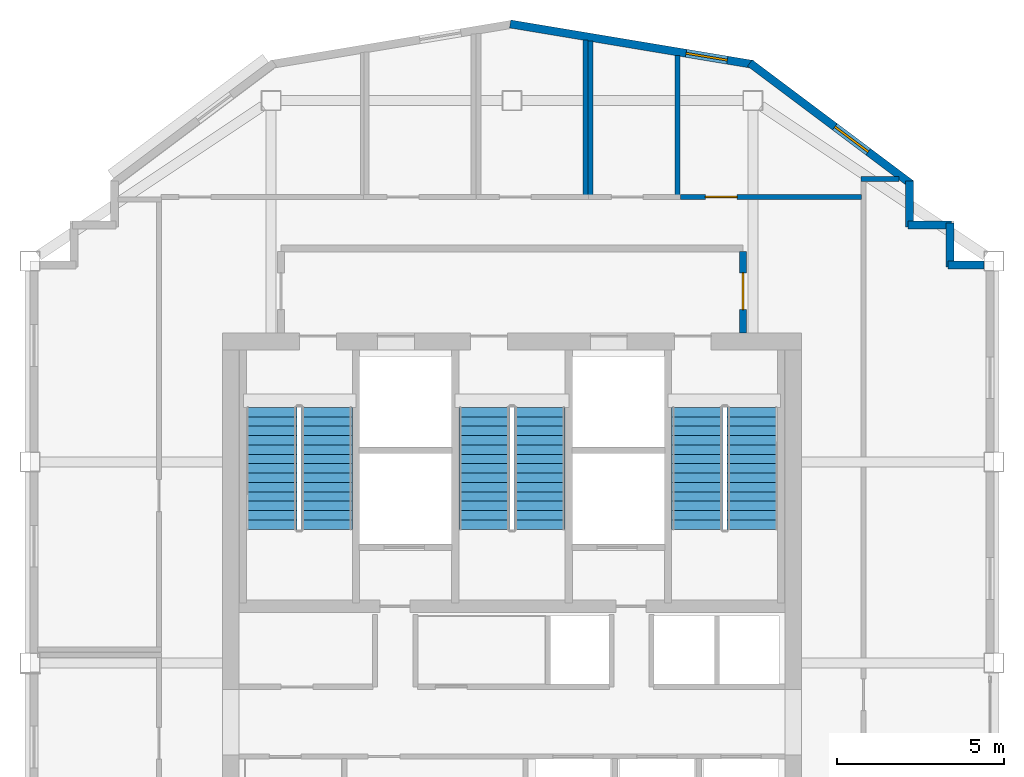
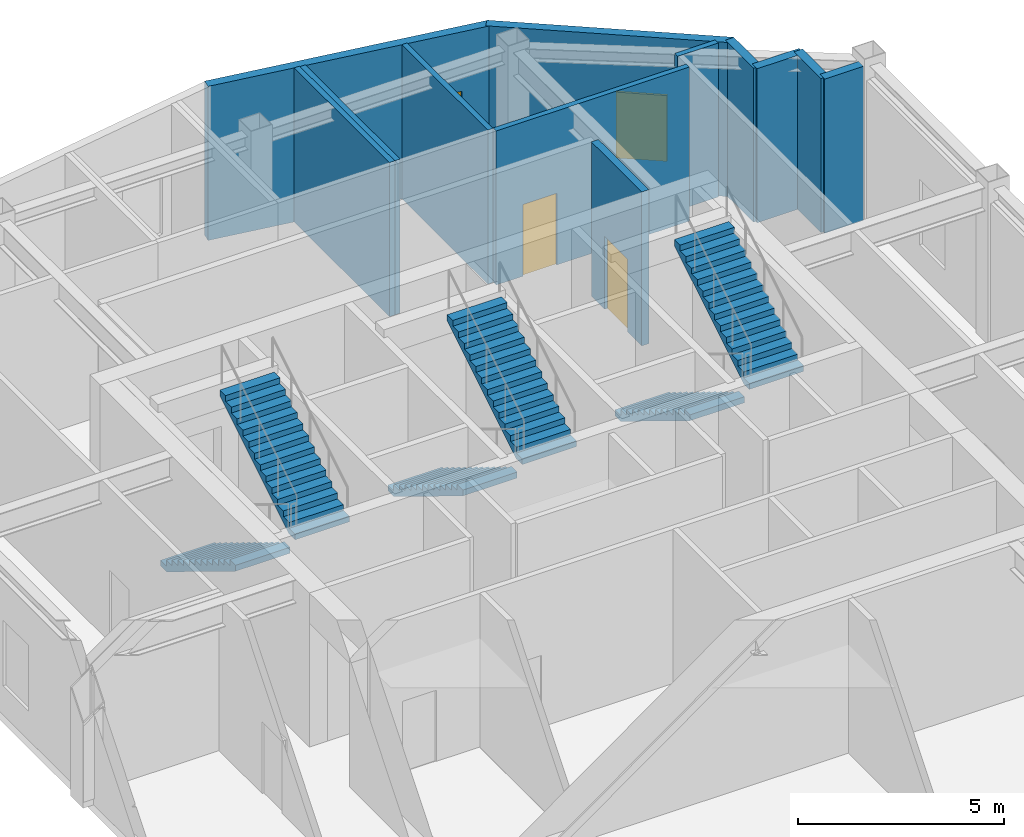
# One storey, part 9 of 11: 12 walls, 6 stair flights, 2 doors, 2 windows, 4 openings, 3 elements without a shape of their own.
"""IFC4 building model written with IfcOpenShell, lengths in metres."""

from ifc_helpers import new_model, si_unit, direction, frame, frame_2d, origin, place, context, subcontext, project, spatial, polyline, rectangle, outline, extrude, material, layer, layer_set, type_object, element, fill, aggregate, save


model = new_model("IFC4")

# Units and contexts
model_context = context("Model", 3, precision=1e-05, world=origin(), true_north=direction((0.0, 1.0)))
body_context = subcontext(model_context, "Body", "Model", "MODEL_VIEW")
ifc_project = project(units=[si_unit("LENGTHUNIT", "METRE"), si_unit("AREAUNIT", "SQUARE_METRE"), si_unit("VOLUMEUNIT", "CUBIC_METRE"), si_unit("PLANEANGLEUNIT", "RADIAN"), si_unit("MASSUNIT", "GRAM", prefix="KILO")], contexts=[model_context])

# Site, building, storey
site_placement = place(None, origin())
site = spatial("IfcSite", under=ifc_project, at=site_placement, CompositionType="ELEMENT")
building_placement = place(site_placement, origin())
building = spatial("IfcBuilding", under=site, at=building_placement, Name="Haolan Belvedere Tower", CompositionType="ELEMENT")
storey_placement = place(building_placement, frame((0.0, 0.0, 313.39990234375)))
storey = spatial("IfcBuildingStorey", under=building, at=storey_placement, Name="L79", CompositionType="ELEMENT", Elevation=313.39990234375)

# Walls
ifc_material_1 = material(Name="Precast concrete C40/50", Category="concrete")
ifc_layer_1 = layer(ifc_material_1, 0.239990234375, Name="Precast concrete C40/50")
ifc_layer_set_1 = layer_set([ifc_layer_1], Name="Precast concrete C40/50")
wall_type_1 = type_object("IfcWallType", Name="WL-EXT-240", PredefinedType="SOLIDWALL", material=ifc_layer_set_1)
wall_1_placement = place(storey_placement, frame((52.508056640625, 45.47998046875, 0.0), z_axis=(0.0, 0.0, 1.0), x_axis=(-1.0, 0.0, 0.0)))
element("IfcWall", 1, at=wall_1_placement, inside=storey, type_object=wall_type_1, Name="L79 pale-metal exterior spandrel wall 4.1", PredefinedType="SOLIDWALL", context=body_context, shape_type="SweptSolid", body=[
    extrude(rectangle(XDim=1.0830078125, YDim=0.239990234375, at=frame_2d((0.54150390625, 0.0))), origin(), (0.0, 0.0, 1.0), 4.56005859375),
])
wall_2_placement = place(storey_placement, frame((51.47998046875, 45.425048828125, 0.0), z_axis=(0.0, 0.0, 1.0), x_axis=(0.0, 1.0, 0.0)))
element("IfcWall", 2, at=wall_2_placement, inside=storey, type_object=wall_type_1, Name="L79 pale-metal exterior spandrel wall 5.1", PredefinedType="SOLIDWALL", context=body_context, shape_type="SweptSolid", body=[
    extrude(rectangle(XDim=1.31005859375, YDim=0.239990234375, at=frame_2d((0.655029296875, 0.0))), origin(), (0.0, 0.0, 1.0), 4.56005859375),
])
wall_3_placement = place(storey_placement, frame((51.534912109375, 46.679931640625, 0.0), z_axis=(0.0, 0.0, 1.0), x_axis=(-1.0, 0.0, 0.0)))
element("IfcWall", 3, at=wall_3_placement, inside=storey, type_object=wall_type_1, Name="L79 pale-metal exterior spandrel wall 6.1", PredefinedType="SOLIDWALL", context=body_context, shape_type="SweptSolid", body=[
    extrude(rectangle(XDim=1.309814453125, YDim=0.239990234375, at=frame_2d((0.65478515625, 0.0))), origin(), (0.0, 0.0, 1.0), 4.56005859375),
])
wall_4_placement = place(storey_placement, frame((50.280029296875, 46.625, 0.0), z_axis=(0.0, 0.0, 1.0), x_axis=(0.0, 1.0, 0.0)))
element("IfcWall", 4, at=wall_4_placement, inside=storey, type_object=wall_type_1, Name="L79 pale-metal exterior spandrel wall 7.1", PredefinedType="SOLIDWALL", context=body_context, shape_type="SweptSolid", body=[
    extrude(rectangle(XDim=1.3701171875, YDim=0.239990234375, at=frame_2d((0.68505859375, 0.0))), origin(), (0.0, 0.0, 1.0), 4.56005859375),
])

# Wall, opening, window
wall_5_placement = place(storey_placement, frame((50.323974609375, 47.906982421875, 0.0), z_axis=(0.0, 0.0, 1.0), x_axis=(-0.80001459783, 0.599980535734, 0.0)))
wall_5 = element("IfcWall", 5, at=wall_5_placement, inside=storey, type_object=wall_type_1, Name="L79 pale-metal exterior spandrel wall 8.1", PredefinedType="SOLIDWALL", context=body_context, shape_type="SweptSolid", body=[
    extrude(rectangle(XDim=6.020751953125, YDim=0.239990234375, at=frame_2d((3.01025390625, 0.0))), origin(), (0.0, 0.0, 1.0), 4.56005859375),
])
opening_1_placement = place(wall_5_placement, frame((1.60009765625, 0.0, 0.85009765625)))
opening_1 = element("IfcOpeningElement", 6, at=opening_1_placement, cuts=wall_5, Name="Opening W-04", PredefinedType="OPENING", context=body_context, shape_type="SweptSolid", body=[
    extrude(rectangle(XDim=1.25, YDim=1.949951171875, at=frame_2d((0.625, 0.97509765625))), frame((0.0, 0.1298828125, 0.0), z_axis=(0.0, -1.0, 0.0), x_axis=(1.0, 0.0, 0.0)), (0.0, 0.0, 1.0), 0.260009765625),
])
ifc_material_2 = material(Name="Anodised aluminium 6063-T6 and Low-E glass", Category="aluminium")
window_type = type_object("IfcWindowType", Name="WN-DECO-Z4", PartitioningType="SINGLE_PANEL", PredefinedType="WINDOW", material=ifc_material_2)
window_1_placement = place(opening_1_placement, origin())
window_1 = element("IfcWindow", 7, at=window_1_placement, inside=storey, type_object=window_type, Name="L79 Art Deco chevron window 1", OverallHeight=1.949951171875, OverallWidth=1.25, PartitioningType="SINGLE_PANEL", PredefinedType="WINDOW", context=body_context, shape_type="SweptSolid", body=[
    extrude(rectangle(XDim=1.25, YDim=1.949951171875, at=frame_2d((0.625, 0.97509765625))), frame((0.0, 0.030029296875, 0.0), z_axis=(0.0, -1.0, 0.0), x_axis=(1.0, 0.0, 0.0)), (0.0, 0.0, 1.0), 0.06005859375),
])
fill(opening_1, window_1)

wall_6_placement = place(storey_placement, frame((45.605712890625, 51.477294921875, 0.0), z_axis=(0.0, 0.0, 1.0), x_axis=(-0.986394820321, 0.164393608283, 0.0)))
wall_6 = element("IfcWall", 8, at=wall_6_placement, inside=storey, type_object=wall_type_1, Name="L79 pale-metal exterior spandrel wall 9.1", PredefinedType="SOLIDWALL", context=body_context, shape_type="SweptSolid", body=[
    extrude(rectangle(XDim=7.360107421875, YDim=0.239990234375, at=frame_2d((3.68017578125, 0.0))), origin(), (0.0, 0.0, 1.0), 4.56005859375),
])
opening_2_placement = place(wall_6_placement, frame((0.7841796875, 0.0, 0.85009765625)))
opening_2 = element("IfcOpeningElement", 9, at=opening_2_placement, cuts=wall_6, Name="Opening W-04", PredefinedType="OPENING", context=body_context, shape_type="SweptSolid", body=[
    extrude(rectangle(XDim=1.25, YDim=1.949951171875, at=frame_2d((0.625, 0.97509765625))), frame((0.0, 0.1298828125, 0.0), z_axis=(0.0, -1.0, 0.0), x_axis=(1.0, 0.0, 0.0)), (0.0, 0.0, 1.0), 0.260009765625),
])
window_2_placement = place(opening_2_placement, origin())
window_2 = element("IfcWindow", 10, at=window_2_placement, inside=storey, type_object=window_type, Name="L79 Art Deco chevron window 1", OverallHeight=1.949951171875, OverallWidth=1.25, PartitioningType="SINGLE_PANEL", PredefinedType="WINDOW", context=body_context, shape_type="SweptSolid", body=[
    extrude(rectangle(XDim=1.25, YDim=1.949951171875, at=frame_2d((0.625, 0.97509765625))), frame((0.0, 0.030029296875, 0.0), z_axis=(0.0, -1.0, 0.0), x_axis=(1.0, 0.0, 0.0)), (0.0, 0.0, 1.0), 0.06005859375),
])
fill(opening_2, window_2)

# Wall, opening, door
ifc_material_3 = material(Name="Concrete C40/50", Category="concrete")
ifc_layer_2 = layer(ifc_material_3, 0.199951171875, Name="Concrete C40/50")
ifc_layer_set_2 = layer_set([ifc_layer_2], Name="Concrete C40/50")
wall_type_2 = type_object("IfcWallType", Name="WL-FIRE-200", PredefinedType="SOLIDWALL", material=ifc_layer_set_2)
wall_7_placement = place(storey_placement, frame((45.300048828125, 43.449951171875, 0.0), z_axis=(0.0, 0.0, 1.0), x_axis=(0.0, 1.0, 0.0)))
wall_7 = element("IfcWall", 11, at=wall_7_placement, inside=storey, type_object=wall_type_2, Name="L79 interior partition IW-L79-FFL-E", PredefinedType="SOLIDWALL", context=body_context, shape_type="SweptSolid", body=[
    extrude(rectangle(XDim=2.445068359375, YDim=0.199951171875, at=frame_2d((1.22265625, 0.0))), origin(), (0.0, 0.0, 1.0), 4.56005859375),
])
opening_3_placement = place(wall_7_placement, frame((0.699951171875, 0.0, 0.0)))
opening_3 = element("IfcOpeningElement", 12, at=opening_3_placement, cuts=wall_7, Name="Opening FD-03", PredefinedType="OPENING", context=body_context, shape_type="SweptSolid", body=[
    extrude(rectangle(XDim=1.10009765625, YDim=2.14990234375, at=frame_2d((0.550048828125, 1.074951171875))), frame((0.0, 0.10986328125, 0.0), z_axis=(0.0, -1.0, 0.0), x_axis=(1.0, 0.0, 0.0)), (0.0, 0.0, 1.0), 0.219970703125),
])
ifc_material_4 = material(Name="Galvanised fire-rated steel", Category="steel")
door_type_1 = type_object("IfcDoorType", Name="DR-FD90-1100", OperationType="NOTDEFINED", PredefinedType="DOOR", material=ifc_material_4)
door_1_placement = place(opening_3_placement, origin())
door_1 = element("IfcDoor", 13, at=door_1_placement, inside=storey, type_object=door_type_1, Name="L79 door ID-L79-FFL-DE", OperationType="SINGLE_SWING_RIGHT", OverallHeight=2.14990234375, OverallWidth=1.10009765625, PredefinedType="DOOR", context=body_context, shape_type="SweptSolid", body=[
    extrude(rectangle(XDim=1.10009765625, YDim=2.14990234375, at=frame_2d((0.550048828125, 1.074951171875))), frame((0.0, 0.02490234375, 0.0), z_axis=(0.0, -1.0, 0.0), x_axis=(1.0, 0.0, 0.0)), (0.0, 0.0, 1.0), 0.050048828125),
])
fill(opening_3, door_1)

# Walls
ifc_material_5 = material(Name="Double gypsum acoustic stud partition", Category="masonry")
ifc_layer_3 = layer(ifc_material_5, 0.14990234375, Name="Double gypsum acoustic stud partition")
ifc_layer_set_3 = layer_set([ifc_layer_3], Name="Double gypsum acoustic stud partition")
wall_type_3 = type_object("IfcWallType", Name="WL-PART-150", PredefinedType="PARTITIONING", material=ifc_layer_set_3)
wall_8_placement = place(storey_placement, frame((40.60009765625, 47.580078125, 0.0), z_axis=(0.0, 0.0, 1.0), x_axis=(0.0, 1.0, 0.0)))
element("IfcWall", 14, at=wall_8_placement, inside=storey, type_object=wall_type_3, Name="L79 interior partition IW-L79-WCF-E", PredefinedType="PARTITIONING", context=body_context, shape_type="SweptSolid", body=[
    extrude(rectangle(XDim=4.625, YDim=0.14990234375, at=frame_2d((2.3125, 0.0))), origin(), (0.0, 0.0, 1.0), 4.56005859375),
])
wall_9_placement = place(storey_placement, frame((40.75, 47.580078125, 0.0), z_axis=(0.0, 0.0, 1.0), x_axis=(0.0, 1.0, 0.0)))
element("IfcWall", 15, at=wall_9_placement, inside=storey, type_object=wall_type_3, Name="L79 interior partition IW-L79-WCA-W", PredefinedType="PARTITIONING", context=body_context, shape_type="SweptSolid", body=[
    extrude(rectangle(XDim=4.60009765625, YDim=0.14990234375, at=frame_2d((2.300048828125, 0.0))), origin(), (0.0, 0.0, 1.0), 4.56005859375),
])
wall_10_placement = place(storey_placement, frame((43.35009765625, 47.580078125, 0.0), z_axis=(0.0, 0.0, 1.0), x_axis=(0.0, 1.0, 0.0)))
element("IfcWall", 16, at=wall_10_placement, inside=storey, type_object=wall_type_3, Name="L79 interior partition IW-L79-WCA-E", PredefinedType="PARTITIONING", context=body_context, shape_type="SweptSolid", body=[
    extrude(rectangle(XDim=4.166748046875, YDim=0.14990234375, at=frame_2d((2.08349609375, 0.0))), origin(), (0.0, 0.0, 1.0), 4.56005859375),
])
wall_11_placement = place(storey_placement, frame((48.820068359375, 48.050048828125, 0.0), z_axis=(0.0, 0.0, 1.0), x_axis=(1.0, 0.0, 0.0)))
element("IfcWall", 17, at=wall_11_placement, inside=storey, type_object=wall_type_3, Name="L79 interior partition IW-L79-SOMM-N", PredefinedType="PARTITIONING", context=body_context, shape_type="SweptSolid", body=[
    extrude(rectangle(XDim=1.13818359375, YDim=0.14990234375, at=frame_2d((0.569091796875, 0.0))), origin(), (0.0, 0.0, 1.0), 4.56005859375),
])

# Wall, opening, door
wall_12_placement = place(storey_placement, frame((43.431884765625, 47.52001953125, 0.0), z_axis=(0.0, 0.0, 1.0), x_axis=(1.0, 0.0, 0.0)))
wall_12 = element("IfcWall", 18, at=wall_12_placement, inside=storey, type_object=wall_type_3, Name="L79 interior partition IW-L79-NELNG-S", PredefinedType="PARTITIONING", context=body_context, shape_type="SweptSolid", body=[
    extrude(rectangle(XDim=5.408203125, YDim=0.14990234375, at=frame_2d((2.7041015625, 0.0))), origin(), (0.0, 0.0, 1.0), 4.56005859375),
])
opening_4_placement = place(wall_12_placement, frame((0.748046875, 0.0, 0.0)))
opening_4 = element("IfcOpeningElement", 19, at=opening_4_placement, cuts=wall_12, Name="Opening ID-03", PredefinedType="OPENING", context=body_context, shape_type="SweptSolid", body=[
    extrude(rectangle(XDim=0.949951171875, YDim=2.1201171875, at=frame_2d((0.47509765625, 1.06005859375))), frame((0.0, 0.0849609375, 0.0), z_axis=(0.0, -1.0, 0.0), x_axis=(1.0, 0.0, 0.0)), (0.0, 0.0, 1.0), 0.169921875),
])
ifc_material_6 = material(Name="Painted solid-core timber", Category="wood")
door_type_2 = type_object("IfcDoorType", Name="DR-INT-950", OperationType="NOTDEFINED", PredefinedType="DOOR", material=ifc_material_6)
door_2_placement = place(opening_4_placement, origin())
door_2 = element("IfcDoor", 20, at=door_2_placement, inside=storey, type_object=door_type_2, Name="L79 door ID-L79-NELNG", OperationType="SINGLE_SWING_RIGHT", OverallHeight=2.1201171875, OverallWidth=0.949951171875, PredefinedType="DOOR", context=body_context, shape_type="SweptSolid", body=[
    extrude(rectangle(XDim=0.949951171875, YDim=2.1201171875, at=frame_2d((0.47509765625, 1.06005859375))), frame((0.0, 0.02490234375, 0.0), z_axis=(0.0, -1.0, 0.0), x_axis=(1.0, 0.0, 0.0)), (0.0, 0.0, 1.0), 0.050048828125),
])
fill(opening_4, door_2)

# Stair, stair flights
stair_type = type_object("IfcStairType", Name="STR-DL-28R-171", PredefinedType="HALF_TURN_STAIR", material=ifc_material_3)
stair_1_placement = place(storey_placement, origin())
stair_1 = element("IfcStair", 21, at=stair_1_placement, inside=storey, type_object=stair_type, Name="L79 Smokeproof Core Exit Stair ST1", PredefinedType="HALF_TURN_STAIR")
stair_flight_type = type_object("IfcStairFlightType", Name="SFL-DL-14R-171", PredefinedType="STRAIGHT", material=ifc_material_3)
stair_flight_1_placement = place(storey_placement, frame((31.2099609375, 41.22998046875, 0.0), z_axis=(0.0, 0.0, 1.0), x_axis=(0.0, -1.0, 0.0)))
stair_flight_1 = element("IfcStairFlight", 22, at=stair_flight_1_placement, type_object=stair_flight_type, Name="ST1 flight 1", NumberOfRisers=14, NumberOfTreads=13, PredefinedType="STRAIGHT", RiserHeight=0.171428571, TreadLength=0.28, context=body_context, shape_type="SweptSolid", body=[
    extrude(outline(polyline([(0.0, 0.0), (0.0, 0.17138671875), (0.280029296875, 0.17138671875), (0.280029296875, 0.3427734375), (0.56005859375, 0.3427734375), (0.56005859375, 0.514404296875), (0.840087890625, 0.514404296875), (0.840087890625, 0.685791015625), (1.1201171875, 0.685791015625), (1.1201171875, 0.857177734375), (1.39990234375, 0.857177734375), (1.39990234375, 1.028564453125), (1.679931640625, 1.028564453125), (1.679931640625, 1.199951171875), (1.9599609375, 1.199951171875), (1.9599609375, 1.371337890625), (2.239990234375, 1.371337890625), (2.239990234375, 1.54296875), (2.52001953125, 1.54296875), (2.52001953125, 1.71435546875), (2.800048828125, 1.71435546875), (2.800048828125, 1.8857421875), (3.080078125, 1.8857421875), (3.080078125, 2.05712890625), (3.360107421875, 2.05712890625), (3.360107421875, 2.228515625), (3.639892578125, 2.228515625), (3.639892578125, 2.39990234375), (3.639892578125, 2.052734375), (0.287109375, 0.0), (0.0, 0.0)])), frame((0.0, 0.760009765625, 0.0), z_axis=(0.0, -1.0, 0.0), x_axis=(1.0, 0.0, 0.0)), (0.0, 0.0, 1.0), 1.52001953125),
])
stair_flight_2_placement = place(storey_placement, frame((32.8701171875, 37.590087890625, 2.400146484375), z_axis=(0.0, 0.0, 1.0), x_axis=(0.0, 1.0, 0.0)))
stair_flight_2 = element("IfcStairFlight", 23, at=stair_flight_2_placement, type_object=stair_flight_type, Name="ST1 flight 2", NumberOfRisers=14, NumberOfTreads=13, PredefinedType="STRAIGHT", RiserHeight=0.171428571, TreadLength=0.28, context=body_context, shape_type="SweptSolid", body=[
    extrude(outline(polyline([(0.0, 0.0), (0.0, 0.17138671875), (0.280029296875, 0.17138671875), (0.280029296875, 0.3427734375), (0.56005859375, 0.3427734375), (0.56005859375, 0.514404296875), (0.840087890625, 0.514404296875), (0.840087890625, 0.685791015625), (1.1201171875, 0.685791015625), (1.1201171875, 0.857177734375), (1.39990234375, 0.857177734375), (1.39990234375, 1.028564453125), (1.679931640625, 1.028564453125), (1.679931640625, 1.199951171875), (1.9599609375, 1.199951171875), (1.9599609375, 1.371337890625), (2.239990234375, 1.371337890625), (2.239990234375, 1.54296875), (2.52001953125, 1.54296875), (2.52001953125, 1.71435546875), (2.800048828125, 1.71435546875), (2.800048828125, 1.8857421875), (3.080078125, 1.8857421875), (3.080078125, 2.05712890625), (3.360107421875, 2.05712890625), (3.360107421875, 2.228515625), (3.639892578125, 2.228515625), (3.639892578125, 2.39990234375), (3.639892578125, 2.052734375), (0.287109375, 0.0), (0.0, 0.0)])), frame((0.0, 0.760009765625, 0.0), z_axis=(0.0, -1.0, 0.0), x_axis=(1.0, 0.0, 0.0)), (0.0, 0.0, 1.0), 1.52001953125),
])
aggregate(stair_1, [stair_flight_1, stair_flight_2])

stair_2_placement = place(storey_placement, origin())
stair_2 = element("IfcStair", 24, at=stair_2_placement, inside=storey, type_object=stair_type, Name="L79 Smokeproof Core Exit Stair ST3", PredefinedType="HALF_TURN_STAIR")
stair_flight_3_placement = place(storey_placement, frame((37.570068359375, 41.22998046875, 0.0), z_axis=(0.0, 0.0, 1.0), x_axis=(0.0, -1.0, 0.0)))
stair_flight_3 = element("IfcStairFlight", 25, at=stair_flight_3_placement, type_object=stair_flight_type, Name="ST3 flight 1", NumberOfRisers=14, NumberOfTreads=13, PredefinedType="STRAIGHT", RiserHeight=0.171428571, TreadLength=0.28, context=body_context, shape_type="SweptSolid", body=[
    extrude(outline(polyline([(0.0, 0.0), (0.0, 0.17138671875), (0.280029296875, 0.17138671875), (0.280029296875, 0.3427734375), (0.56005859375, 0.3427734375), (0.56005859375, 0.514404296875), (0.840087890625, 0.514404296875), (0.840087890625, 0.685791015625), (1.1201171875, 0.685791015625), (1.1201171875, 0.857177734375), (1.39990234375, 0.857177734375), (1.39990234375, 1.028564453125), (1.679931640625, 1.028564453125), (1.679931640625, 1.199951171875), (1.9599609375, 1.199951171875), (1.9599609375, 1.371337890625), (2.239990234375, 1.371337890625), (2.239990234375, 1.54296875), (2.52001953125, 1.54296875), (2.52001953125, 1.71435546875), (2.800048828125, 1.71435546875), (2.800048828125, 1.8857421875), (3.080078125, 1.8857421875), (3.080078125, 2.05712890625), (3.360107421875, 2.05712890625), (3.360107421875, 2.228515625), (3.639892578125, 2.228515625), (3.639892578125, 2.39990234375), (3.639892578125, 2.052734375), (0.287109375, 0.0), (0.0, 0.0)])), frame((0.0, 0.760009765625, 0.0), z_axis=(0.0, -1.0, 0.0), x_axis=(1.0, 0.0, 0.0)), (0.0, 0.0, 1.0), 1.52001953125),
])
stair_flight_4_placement = place(storey_placement, frame((39.22998046875, 37.590087890625, 2.400146484375), z_axis=(0.0, 0.0, 1.0), x_axis=(0.0, 1.0, 0.0)))
stair_flight_4 = element("IfcStairFlight", 26, at=stair_flight_4_placement, type_object=stair_flight_type, Name="ST3 flight 2", NumberOfRisers=14, NumberOfTreads=13, PredefinedType="STRAIGHT", RiserHeight=0.171428571, TreadLength=0.28, context=body_context, shape_type="SweptSolid", body=[
    extrude(outline(polyline([(0.0, 0.0), (0.0, 0.17138671875), (0.280029296875, 0.17138671875), (0.280029296875, 0.3427734375), (0.56005859375, 0.3427734375), (0.56005859375, 0.514404296875), (0.840087890625, 0.514404296875), (0.840087890625, 0.685791015625), (1.1201171875, 0.685791015625), (1.1201171875, 0.857177734375), (1.39990234375, 0.857177734375), (1.39990234375, 1.028564453125), (1.679931640625, 1.028564453125), (1.679931640625, 1.199951171875), (1.9599609375, 1.199951171875), (1.9599609375, 1.371337890625), (2.239990234375, 1.371337890625), (2.239990234375, 1.54296875), (2.52001953125, 1.54296875), (2.52001953125, 1.71435546875), (2.800048828125, 1.71435546875), (2.800048828125, 1.8857421875), (3.080078125, 1.8857421875), (3.080078125, 2.05712890625), (3.360107421875, 2.05712890625), (3.360107421875, 2.228515625), (3.639892578125, 2.228515625), (3.639892578125, 2.39990234375), (3.639892578125, 2.052734375), (0.287109375, 0.0), (0.0, 0.0)])), frame((0.0, 0.760009765625, 0.0), z_axis=(0.0, -1.0, 0.0), x_axis=(1.0, 0.0, 0.0)), (0.0, 0.0, 1.0), 1.52001953125),
])
aggregate(stair_2, [stair_flight_3, stair_flight_4])

stair_3_placement = place(storey_placement, origin())
stair_3 = element("IfcStair", 27, at=stair_3_placement, inside=storey, type_object=stair_type, Name="L79 Smokeproof Core Exit Stair ST2", PredefinedType="HALF_TURN_STAIR")
stair_flight_5_placement = place(storey_placement, frame((43.929931640625, 41.22998046875, 0.0), z_axis=(0.0, 0.0, 1.0), x_axis=(0.0, -1.0, 0.0)))
stair_flight_5 = element("IfcStairFlight", 28, at=stair_flight_5_placement, type_object=stair_flight_type, Name="ST2 flight 1", NumberOfRisers=14, NumberOfTreads=13, PredefinedType="STRAIGHT", RiserHeight=0.171428571, TreadLength=0.28, context=body_context, shape_type="SweptSolid", body=[
    extrude(outline(polyline([(0.0, 0.0), (0.0, 0.17138671875), (0.280029296875, 0.17138671875), (0.280029296875, 0.3427734375), (0.56005859375, 0.3427734375), (0.56005859375, 0.514404296875), (0.840087890625, 0.514404296875), (0.840087890625, 0.685791015625), (1.1201171875, 0.685791015625), (1.1201171875, 0.857177734375), (1.39990234375, 0.857177734375), (1.39990234375, 1.028564453125), (1.679931640625, 1.028564453125), (1.679931640625, 1.199951171875), (1.9599609375, 1.199951171875), (1.9599609375, 1.371337890625), (2.239990234375, 1.371337890625), (2.239990234375, 1.54296875), (2.52001953125, 1.54296875), (2.52001953125, 1.71435546875), (2.800048828125, 1.71435546875), (2.800048828125, 1.8857421875), (3.080078125, 1.8857421875), (3.080078125, 2.05712890625), (3.360107421875, 2.05712890625), (3.360107421875, 2.228515625), (3.639892578125, 2.228515625), (3.639892578125, 2.39990234375), (3.639892578125, 2.052734375), (0.287109375, 0.0), (0.0, 0.0)])), frame((0.0, 0.760009765625, 0.0), z_axis=(0.0, -1.0, 0.0), x_axis=(1.0, 0.0, 0.0)), (0.0, 0.0, 1.0), 1.52001953125),
])
stair_flight_6_placement = place(storey_placement, frame((45.590087890625, 37.590087890625, 2.400146484375), z_axis=(0.0, 0.0, 1.0), x_axis=(0.0, 1.0, 0.0)))
stair_flight_6 = element("IfcStairFlight", 29, at=stair_flight_6_placement, type_object=stair_flight_type, Name="ST2 flight 2", NumberOfRisers=14, NumberOfTreads=13, PredefinedType="STRAIGHT", RiserHeight=0.171428571, TreadLength=0.28, context=body_context, shape_type="SweptSolid", body=[
    extrude(outline(polyline([(0.0, 0.0), (0.0, 0.17138671875), (0.280029296875, 0.17138671875), (0.280029296875, 0.3427734375), (0.56005859375, 0.3427734375), (0.56005859375, 0.514404296875), (0.840087890625, 0.514404296875), (0.840087890625, 0.685791015625), (1.1201171875, 0.685791015625), (1.1201171875, 0.857177734375), (1.39990234375, 0.857177734375), (1.39990234375, 1.028564453125), (1.679931640625, 1.028564453125), (1.679931640625, 1.199951171875), (1.9599609375, 1.199951171875), (1.9599609375, 1.371337890625), (2.239990234375, 1.371337890625), (2.239990234375, 1.54296875), (2.52001953125, 1.54296875), (2.52001953125, 1.71435546875), (2.800048828125, 1.71435546875), (2.800048828125, 1.8857421875), (3.080078125, 1.8857421875), (3.080078125, 2.05712890625), (3.360107421875, 2.05712890625), (3.360107421875, 2.228515625), (3.639892578125, 2.228515625), (3.639892578125, 2.39990234375), (3.639892578125, 2.052734375), (0.287109375, 0.0), (0.0, 0.0)])), frame((0.0, 0.760009765625, 0.0), z_axis=(0.0, -1.0, 0.0), x_axis=(1.0, 0.0, 0.0)), (0.0, 0.0, 1.0), 1.52001953125),
])
aggregate(stair_3, [stair_flight_5, stair_flight_6])

save(model, "model.ifc")
